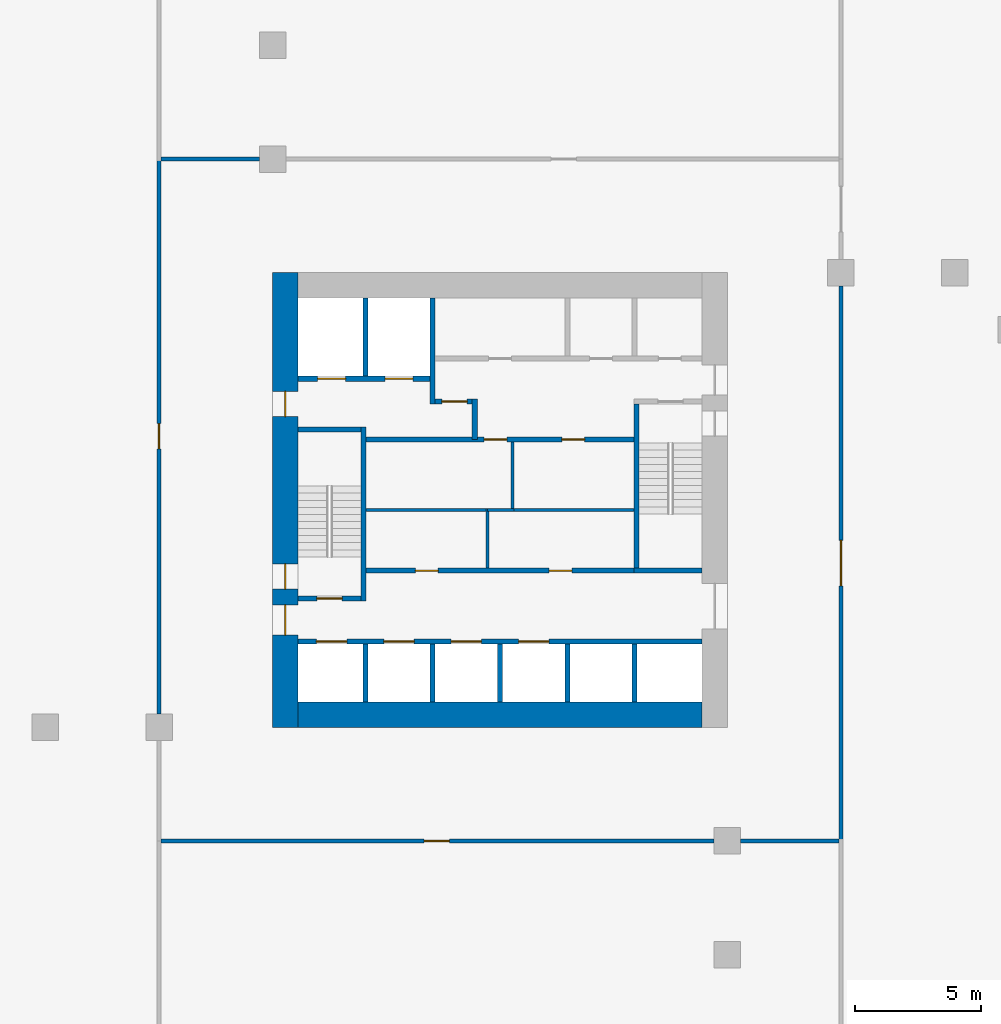
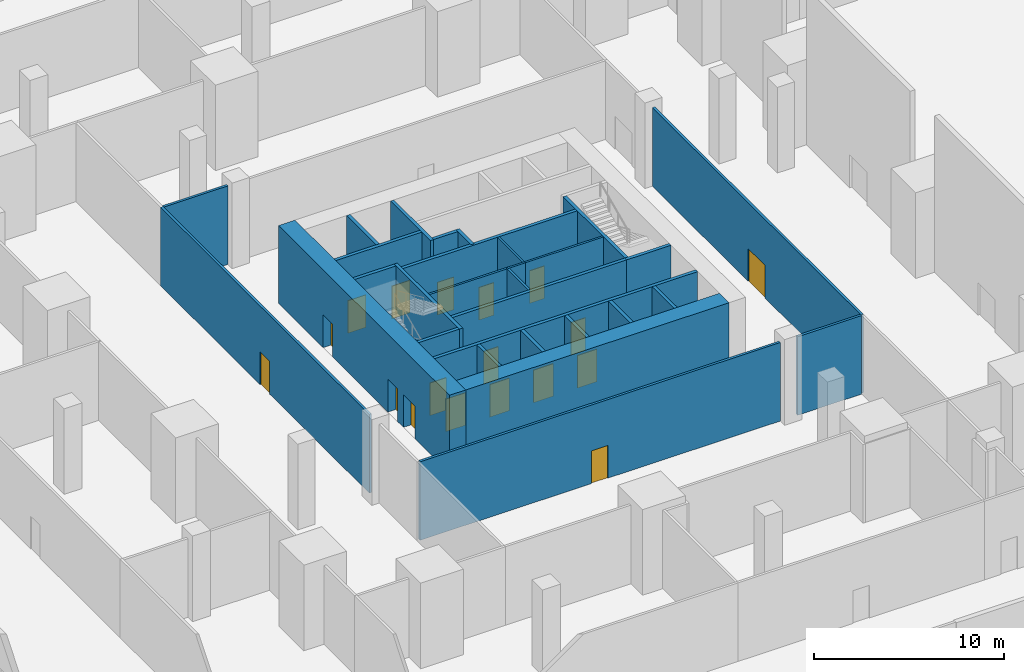
# One storey, part 25 of 47: 30 walls, 18 doors, 18 openings.
"""IFC4 building model written with IfcOpenShell, lengths in metres."""

import ifcopenshell
import ifcopenshell.guid

model = None  # the IFC model being written
_history = None  # IfcOwnerHistory: only IFC2X3 demands one
_inside = {}  # id of a spatial element -> (the spatial element, [elements in it])
_under = {}  # id of a project, library or spatial element -> (it, [spatial elements below it])
_declared = {}  # id of a project -> (the project, [libraries it declares])
_typed = {}  # id of a type object -> (the type object, [elements of that type])
_made_of = {}  # id of a material, layer set ... -> (it, [elements and type objects made of it])


def new_model(schema):
    """Start an empty IFC model of exactly this schema.

    Asked for "IFC4X3", IfcOpenShell would pick the latest addendum, in which some entities
    have other attributes; the version numbers below select the first issue.
    IFC2X3 requires an IfcOwnerHistory on every rooted entity: one is made here for all.
    """
    global model, _history
    if schema == "IFC4X3":
        model = ifcopenshell.file(schema_version=(4, 3, 0, 0))
    else:
        model = ifcopenshell.file(schema=schema)
    _inside.clear()
    _under.clear()
    _declared.clear()
    _typed.clear()
    _made_of.clear()
    _history = None
    if model.schema == "IFC2X3":
        org = make("IfcOrganization", Name="unknown")
        user = make(
            "IfcPersonAndOrganization",
            ThePerson=make("IfcPerson", FamilyName="unknown"),
            TheOrganization=org,
        )
        app = make(
            "IfcApplication",
            ApplicationDeveloper=org,
            Version="unknown",
            ApplicationFullName="unknown",
            ApplicationIdentifier="unknown",
        )
        _history = make(
            "IfcOwnerHistory",
            OwningUser=user,
            OwningApplication=app,
            ChangeAction="ADDED",
            CreationDate=0,
        )
    return model


def make(cls, **values):
    """One entity of the class cls with the attributes given. An attribute that is None is left unset."""
    return model.create_entity(
        cls, **{name: value for name, value in values.items() if value is not None}
    )


def rooted(cls, **values):
    """An entity with a GlobalId (a new one), such as an element, a storey or a relation."""
    return make(cls, GlobalId=ifcopenshell.guid.new(), OwnerHistory=_history, **values)


def si_unit(unit_type, name, prefix=None):
    """IfcSIUnit, for example si_unit("LENGTHUNIT", "METRE", prefix="MILLI")."""
    return make("IfcSIUnit", UnitType=unit_type, Prefix=prefix, Name=name)


def assignment(units):
    """IfcUnitAssignment: the units of a project."""
    return None if units is None else make("IfcUnitAssignment", Units=units)


def point(xyz):
    """IfcCartesianPoint."""
    return None if xyz is None else make("IfcCartesianPoint", Coordinates=xyz)


def direction(xyz):
    """IfcDirection."""
    return None if xyz is None else make("IfcDirection", DirectionRatios=xyz)


def frame(location, z_axis=None, x_axis=None):
    """IfcAxis2Placement3D, a coordinate frame: its origin and axes. An axis left out is left unset."""
    return make(
        "IfcAxis2Placement3D",
        Location=point(location),
        Axis=direction(z_axis),
        RefDirection=direction(x_axis),
    )


def frame_2d(location, x_axis=None):
    """IfcAxis2Placement2D, a coordinate frame in the plane: its origin and x axis."""
    return make(
        "IfcAxis2Placement2D", Location=point(location), RefDirection=direction(x_axis)
    )


def origin():
    """The frame at (0, 0, 0) with its axes left unset."""
    return frame((0.0, 0.0, 0.0))


def place(relative_to, where):
    """IfcLocalPlacement: puts the frame where relative to a parent placement (None: the world)."""
    return make(
        "IfcLocalPlacement", PlacementRelTo=relative_to, RelativePlacement=where
    )


def context(
    kind, dimensions, precision=None, world=None, true_north=None, identifier=None
):
    """IfcGeometricRepresentationContext, for example the 3D "Model" context."""
    return make(
        "IfcGeometricRepresentationContext",
        ContextIdentifier=identifier,
        ContextType=kind,
        CoordinateSpaceDimension=dimensions,
        Precision=precision,
        WorldCoordinateSystem=world,
        TrueNorth=true_north,
    )


def subcontext(parent, identifier, kind, view, scale=None):
    """IfcGeometricRepresentationSubContext, for example "Body" below "Model"."""
    return make(
        "IfcGeometricRepresentationSubContext",
        ContextIdentifier=identifier,
        ContextType=kind,
        ParentContext=parent,
        TargetScale=scale,
        TargetView=view,
    )


def project(units=None, contexts=None):
    """IfcProject with its units and contexts."""
    return rooted(
        "IfcProject",
        Name="project",
        RepresentationContexts=contexts,
        UnitsInContext=assignment(units),
    )


def spatial(cls, under=None, at=None, **own):
    """A site, building, storey or space (cls), placed at a placement, below another one or the project."""
    s = rooted(cls, ObjectPlacement=at, **own)
    if under is not None:
        _under.setdefault(under.id(), (under, []))[1].append(s)
    return s


def profile(cls, at=None, kind="AREA", **sizes):
    """A parametric profile (cls). Its sizes go by their IFC names, for example OverallWidth=200.0."""
    return make(cls, ProfileType=kind, Position=at, **sizes)


def rectangle(**sizes):
    """IfcRectangleProfileDef."""
    return profile("IfcRectangleProfileDef", **sizes)


def extrude(swept, where, along, depth):
    """IfcExtrudedAreaSolid: the profile swept, set in the frame where, extruded along a direction by depth."""
    return make(
        "IfcExtrudedAreaSolid",
        SweptArea=swept,
        Position=where,
        ExtrudedDirection=direction(along),
        Depth=depth,
    )


def shape(context_of_items, identifier, shape_type, items):
    """IfcShapeRepresentation: the items that make up one representation, for example the "Body"."""
    return make(
        "IfcShapeRepresentation",
        ContextOfItems=context_of_items,
        RepresentationIdentifier=identifier,
        RepresentationType=shape_type,
        Items=items,
    )


def material(Name=None, Category=None):
    """IfcMaterial."""
    return make("IfcMaterial", Name=Name, Category=Category)


def layer(
    of_material, thickness, ventilated=None, Name=None, Category=None, Priority=None
):
    """IfcMaterialLayer: one layer of a wall or slab, of a material (None: an air gap)."""
    return make(
        "IfcMaterialLayer",
        Material=of_material,
        LayerThickness=thickness,
        IsVentilated=ventilated,
        Name=Name,
        Category=Category,
        Priority=Priority,
    )


def layer_set(layers, Name=None):
    """IfcMaterialLayerSet."""
    return make("IfcMaterialLayerSet", MaterialLayers=layers, LayerSetName=Name)


def made_of(thing, what):
    """Note that an element or type object is made of a material, layer set ...; save() writes the relation."""
    if what is not None:
        _made_of.setdefault(what.id(), (what, []))[1].append(thing)
    return thing


def type_object(cls, material=None, **own):
    """A type object (cls), such as IfcWallType, which elements share."""
    return made_of(rooted(cls, **own), material)


def element(
    cls,
    number,
    at=None,
    inside=None,
    cuts=None,
    type_object=None,
    material=None,
    context=None,
    identifier="Body",
    shape_type=None,
    held_by="IfcProductDefinitionShape",
    body=None,
    shapes=None,
    **own,
):
    """One element of the class cls, such as IfcWall. Its Tag is "e" and its number.

    at: its placement. inside: the storey or other place that contains it. cuts: it is an
    opening in that element (IfcRelVoidsElement). A single representation is given by context,
    identifier, shape_type and body (its items); several are given by shapes. held_by: the class
    of the entity that holds the representations. save() writes the other relations.
    """
    e = rooted(cls, Tag="e%d" % number, ObjectPlacement=at, **own)
    if body is not None:
        shapes = [shape(context, identifier, shape_type, body)]
    if shapes is not None:
        e.Representation = make(held_by, Representations=shapes)
    if inside is not None:
        _inside.setdefault(inside.id(), (inside, []))[1].append(e)
    if cuts is not None:
        rooted(
            "IfcRelVoidsElement", RelatingBuildingElement=cuts, RelatedOpeningElement=e
        )
    if type_object is not None:
        _typed.setdefault(type_object.id(), (type_object, []))[1].append(e)
    return made_of(e, material)


def fill(opening, filler):
    """IfcRelFillsElement: the door or window that sits in an opening."""
    return rooted(
        "IfcRelFillsElement",
        RelatingOpeningElement=opening,
        RelatedBuildingElement=filler,
    )


def aggregate(whole, parts):
    """IfcRelAggregates: a whole, such as a stair, and the parts it consists of."""
    return rooted("IfcRelAggregates", RelatingObject=whole, RelatedObjects=parts)


def save(model, path):
    """Write the relations noted so far, then the file.

    IfcRelAggregates (storeys below a building ...), IfcRelContainedInSpatialStructure (elements
    in a storey), IfcRelDefinesByType, IfcRelAssociatesMaterial and IfcRelDeclares: one each for
    every whole, place, type object, material and project.
    """
    for whole, parts in _under.values():
        aggregate(whole, parts)
    for where, things in _inside.values():
        rooted(
            "IfcRelContainedInSpatialStructure",
            RelatedElements=things,
            RelatingStructure=where,
        )
    for kind, things in _typed.values():
        rooted("IfcRelDefinesByType", RelatedObjects=things, RelatingType=kind)
    for what, things in _made_of.values():
        rooted("IfcRelAssociatesMaterial", RelatedObjects=things, RelatingMaterial=what)
    for by, libraries in _declared.values():
        rooted("IfcRelDeclares", RelatingContext=by, RelatedDefinitions=libraries)
    model.write(path)


model = new_model("IFC4")

# Units and contexts
model_context = context("Model", 3, precision=1e-05, world=origin(), true_north=direction((0.0, 1.0)))
body_context = subcontext(model_context, "Body", "Model", "MODEL_VIEW")
ifc_project = project(units=[si_unit("LENGTHUNIT", "METRE"), si_unit("AREAUNIT", "SQUARE_METRE"), si_unit("VOLUMEUNIT", "CUBIC_METRE"), si_unit("PLANEANGLEUNIT", "RADIAN"), si_unit("MASSUNIT", "GRAM", prefix="KILO")], contexts=[model_context])

# Site, building, storey
site_placement = place(None, origin())
site = spatial("IfcSite", under=ifc_project, at=site_placement, CompositionType="ELEMENT")
building_placement = place(site_placement, origin())
building = spatial("IfcBuilding", under=site, at=building_placement, Name="Altepetl Exchange Towers", CompositionType="ELEMENT")
storey_placement = place(building_placement, frame((0.0, 0.0, 6.0)))
storey = spatial("IfcBuildingStorey", under=building, at=storey_placement, Name="L01 Retail podium", CompositionType="ELEMENT", Elevation=6.0)

# Wall
ifc_material_1 = material(Name="Concrete C70/85", Category="concrete")
ifc_layer_1 = layer(ifc_material_1, 1.0)
ifc_layer_set_1 = layer_set([ifc_layer_1], Name="Concrete C70/85")
wall_type_1 = type_object("IfcWallType", Name="Core wall 1000 reinforced concrete", PredefinedType="SHEAR", material=ifc_layer_set_1)
wall_1_placement = place(storey_placement, frame((41.5, 41.0, 0.0)))
element("IfcWall", 1, at=wall_1_placement, inside=storey, type_object=wall_type_1, Name="wall:A:L01:K-coreS", PredefinedType="SHEAR", context=body_context, shape_type="SweptSolid", body=[
    extrude(rectangle(XDim=16.0, YDim=1.0, at=frame_2d((8.0, 0.0))), origin(), (0.0, 0.0, 1.0), 5.0),
])

# Wall, openings, doors
wall_2_placement = place(storey_placement, frame((41.0, 40.5, 0.0), z_axis=(0.0, 0.0, 1.0), x_axis=(0.0, 1.0, 0.0)))
wall_2 = element("IfcWall", 2, at=wall_2_placement, inside=storey, type_object=wall_type_1, Name="wall:A:L01:K-coreW", PredefinedType="SHEAR", context=body_context, shape_type="SweptSolid", body=[
    extrude(rectangle(XDim=18.0, YDim=1.0, at=frame_2d((9.0, 0.0))), origin(), (0.0, 0.0, 1.0), 5.0),
])
opening_1_placement = place(wall_2_placement, frame((3.64990234375, 0.0, 0.0)))
opening_1 = element("IfcOpeningElement", 3, at=opening_1_placement, cuts=wall_2, Name="Opening L01.A62", PredefinedType="OPENING", context=body_context, shape_type="SweptSolid", body=[
    extrude(rectangle(XDim=1.199951171875, YDim=2.10009765625, at=frame_2d((0.60009765625, 1.050048828125))), frame((0.0, 0.510009765625, 0.0), z_axis=(0.0, -1.0, 0.0), x_axis=(1.0, 0.0, 0.0)), (0.0, 0.0, 1.0), 1.02001953125),
])
opening_2_placement = place(wall_2_placement, frame((5.47509765625, 0.0, 0.0)))
opening_2 = element("IfcOpeningElement", 4, at=opening_2_placement, cuts=wall_2, Name="Opening L01.A64", PredefinedType="OPENING", context=body_context, shape_type="SweptSolid", body=[
    extrude(rectangle(XDim=1.0, YDim=2.10009765625, at=frame_2d((0.5, 1.050048828125))), frame((0.0, 0.510009765625, 0.0), z_axis=(0.0, -1.0, 0.0), x_axis=(1.0, 0.0, 0.0)), (0.0, 0.0, 1.0), 1.02001953125),
])
opening_3_placement = place(wall_2_placement, frame((12.300048828125, 0.0, 0.0)))
opening_3 = element("IfcOpeningElement", 5, at=opening_3_placement, cuts=wall_2, Name="Opening L01.A68", PredefinedType="OPENING", context=body_context, shape_type="SweptSolid", body=[
    extrude(rectangle(XDim=1.0, YDim=2.10009765625, at=frame_2d((0.5, 1.050048828125))), frame((0.0, 0.510009765625, 0.0), z_axis=(0.0, -1.0, 0.0), x_axis=(1.0, 0.0, 0.0)), (0.0, 0.0, 1.0), 1.02001953125),
])
ifc_material_2 = material(Name="Steel and timber fire door", Category="steel")
door_type_1 = type_object("IfcDoorType", Name="Fire door 1000 x 2100 stair and lobby", OperationType="SINGLE_SWING_LEFT", PredefinedType="DOOR", material=ifc_material_2)
door_1_placement = place(opening_2_placement, frame((1.0, 0.0, 0.0), x_axis=(-1.0, 0.0, 0.0)))
door_1 = element("IfcDoor", 6, at=door_1_placement, inside=storey, type_object=door_type_1, Name="door:A:L01:K-dS1x", OperationType="SINGLE_SWING_RIGHT", OverallHeight=2.10009765625, OverallWidth=1.0, PredefinedType="DOOR", context=body_context, shape_type="SweptSolid", body=[
    extrude(rectangle(XDim=1.0, YDim=2.10009765625, at=frame_2d((0.5, 1.050048828125))), frame((0.0, 0.02490234375, 0.0), z_axis=(0.0, -1.0, 0.0), x_axis=(1.0, 0.0, 0.0)), (0.0, 0.0, 1.0), 0.050048828125),
])
fill(opening_2, door_1)
door_2_placement = place(opening_3_placement, frame((1.0, 0.0, 0.0), x_axis=(-1.0, 0.0, 0.0)))
door_2 = element("IfcDoor", 7, at=door_2_placement, inside=storey, type_object=door_type_1, Name="door:A:L01:K-dffW", OperationType="SINGLE_SWING_LEFT", OverallHeight=2.10009765625, OverallWidth=1.0, PredefinedType="DOOR", context=body_context, shape_type="SweptSolid", body=[
    extrude(rectangle(XDim=1.0, YDim=2.10009765625, at=frame_2d((0.5, 1.050048828125))), frame((0.0, 0.02490234375, 0.0), z_axis=(0.0, -1.0, 0.0), x_axis=(1.0, 0.0, 0.0)), (0.0, 0.0, 1.0), 0.050048828125),
])
fill(opening_3, door_2)
door_type_2 = type_object("IfcDoorType", Name="Fire door 1200 x 2100 lobby entry", OperationType="SINGLE_SWING_LEFT", PredefinedType="DOOR", material=ifc_material_2)
door_3_placement = place(opening_1_placement, frame((1.199951171875, 0.0, 0.0), x_axis=(-1.0, 0.0, 0.0)))
door_3 = element("IfcDoor", 8, at=door_3_placement, inside=storey, type_object=door_type_2, Name="door:A:L01:K-dLSW", OperationType="SINGLE_SWING_LEFT", OverallHeight=2.10009765625, OverallWidth=1.199951171875, PredefinedType="DOOR", context=body_context, shape_type="SweptSolid", body=[
    extrude(rectangle(XDim=1.199951171875, YDim=2.10009765625, at=frame_2d((0.60009765625, 1.050048828125))), frame((0.0, 0.02490234375, 0.0), z_axis=(0.0, -1.0, 0.0), x_axis=(1.0, 0.0, 0.0)), (0.0, 0.0, 1.0), 0.050048828125),
])
fill(opening_1, door_3)

# Wall
ifc_material_3 = material(Name="Concrete blockwork", Category="masonry")
ifc_layer_2 = layer(ifc_material_3, 0.199951171875)
ifc_layer_set_2 = layer_set([ifc_layer_2], Name="Concrete blockwork")
wall_type_2 = type_object("IfcWallType", Name="Lobby wall 200 blockwork", PredefinedType="PARTITIONING", material=ifc_layer_set_2)
wall_3_placement = place(storey_placement, frame((48.5, 51.89990234375, 0.0), z_axis=(0.0, 0.0, 1.0), x_axis=(0.0, 1.0, 0.0)))
element("IfcWall", 9, at=wall_3_placement, inside=storey, type_object=wall_type_2, Name="wall:A:L01:K-ffE", PredefinedType="PARTITIONING", context=body_context, shape_type="SweptSolid", body=[
    extrude(rectangle(XDim=1.60009765625, YDim=0.199951171875, at=frame_2d((0.800048828125, 0.0))), origin(), (0.0, 0.0, 1.0), 5.0),
])

# Wall, opening, door
wall_4_placement = place(storey_placement, frame((46.933349609375, 53.39990234375, 0.0)))
wall_4 = element("IfcWall", 10, at=wall_4_placement, inside=storey, type_object=wall_type_2, Name="wall:A:L01:K-ffN", PredefinedType="PARTITIONING", context=body_context, shape_type="SweptSolid", body=[
    extrude(rectangle(XDim=1.466552734375, YDim=0.199951171875, at=frame_2d((0.7333984375, 0.0))), origin(), (0.0, 0.0, 1.0), 5.0),
])
opening_4_placement = place(wall_4_placement, frame((0.2666015625, 0.0, 0.0)))
opening_4 = element("IfcOpeningElement", 11, at=opening_4_placement, cuts=wall_4, Name="Opening L01.A67", PredefinedType="OPENING", context=body_context, shape_type="SweptSolid", body=[
    extrude(rectangle(XDim=1.0, YDim=2.10009765625, at=frame_2d((0.5, 1.050048828125))), frame((0.0, 0.10986328125, 0.0), z_axis=(0.0, -1.0, 0.0), x_axis=(1.0, 0.0, 0.0)), (0.0, 0.0, 1.0), 0.219970703125),
])
door_4_placement = place(opening_4_placement, frame((1.0, 0.0, 0.0), x_axis=(-1.0, 0.0, 0.0)))
door_4 = element("IfcDoor", 12, at=door_4_placement, inside=storey, type_object=door_type_1, Name="door:A:L01:K-dffN", OperationType="SINGLE_SWING_RIGHT", OverallHeight=2.10009765625, OverallWidth=1.0, PredefinedType="DOOR", context=body_context, shape_type="SweptSolid", body=[
    extrude(rectangle(XDim=1.0, YDim=2.10009765625, at=frame_2d((0.5, 1.050048828125))), frame((0.0, 0.02490234375, 0.0), z_axis=(0.0, -1.0, 0.0), x_axis=(1.0, 0.0, 0.0)), (0.0, 0.0, 1.0), 0.050048828125),
])
fill(opening_4, door_4)

# Wall, openings, doors
wall_5_placement = place(storey_placement, frame((44.199951171875, 51.89990234375, 0.0)))
wall_5 = element("IfcWall", 13, at=wall_5_placement, inside=storey, type_object=wall_type_2, Name="wall:A:L01:K-zoneN", PredefinedType="PARTITIONING", context=body_context, shape_type="SweptSolid", body=[
    extrude(rectangle(XDim=10.60009765625, YDim=0.199951171875, at=frame_2d((5.300048828125, 0.0))), origin(), (0.0, 0.0, 1.0), 5.0),
])
opening_5_placement = place(wall_5_placement, frame((4.675048828125, 0.0, 0.0)))
opening_5 = element("IfcOpeningElement", 14, at=opening_5_placement, cuts=wall_5, Name="Opening L01.A74", PredefinedType="OPENING", context=body_context, shape_type="SweptSolid", body=[
    extrude(rectangle(XDim=0.89990234375, YDim=2.10009765625, at=frame_2d((0.449951171875, 1.050048828125))), frame((0.0, 0.10986328125, 0.0), z_axis=(0.0, -1.0, 0.0), x_axis=(1.0, 0.0, 0.0)), (0.0, 0.0, 1.0), 0.219970703125),
])
opening_6_placement = place(wall_5_placement, frame((7.75, 0.0, 0.0)))
opening_6 = element("IfcOpeningElement", 15, at=opening_6_placement, cuts=wall_5, Name="Opening L01.A75", PredefinedType="OPENING", context=body_context, shape_type="SweptSolid", body=[
    extrude(rectangle(XDim=0.89990234375, YDim=2.10009765625, at=frame_2d((0.449951171875, 1.050048828125))), frame((0.0, 0.10986328125, 0.0), z_axis=(0.0, -1.0, 0.0), x_axis=(1.0, 0.0, 0.0)), (0.0, 0.0, 1.0), 0.219970703125),
])
door_type_3 = type_object("IfcDoorType", Name="Fire door 900 x 2100 service room", OperationType="SINGLE_SWING_LEFT", PredefinedType="DOOR", material=ifc_material_2)
door_5_placement = place(opening_5_placement, frame((0.89990234375, 0.0, 0.0), x_axis=(-1.0, 0.0, 0.0)))
door_5 = element("IfcDoor", 16, at=door_5_placement, inside=storey, type_object=door_type_3, Name="door:A:L01:K-dz3", OperationType="SINGLE_SWING_LEFT", OverallHeight=2.10009765625, OverallWidth=0.89990234375, PredefinedType="DOOR", context=body_context, shape_type="SweptSolid", body=[
    extrude(rectangle(XDim=0.89990234375, YDim=2.10009765625, at=frame_2d((0.449951171875, 1.050048828125))), frame((0.0, 0.02490234375, 0.0), z_axis=(0.0, -1.0, 0.0), x_axis=(1.0, 0.0, 0.0)), (0.0, 0.0, 1.0), 0.050048828125),
])
fill(opening_5, door_5)
door_6_placement = place(opening_6_placement, frame((0.89990234375, 0.0, 0.0), x_axis=(-1.0, 0.0, 0.0)))
door_6 = element("IfcDoor", 17, at=door_6_placement, inside=storey, type_object=door_type_3, Name="door:A:L01:K-dz4", OperationType="SINGLE_SWING_LEFT", OverallHeight=2.10009765625, OverallWidth=0.89990234375, PredefinedType="DOOR", context=body_context, shape_type="SweptSolid", body=[
    extrude(rectangle(XDim=0.89990234375, YDim=2.10009765625, at=frame_2d((0.449951171875, 1.050048828125))), frame((0.0, 0.02490234375, 0.0), z_axis=(0.0, -1.0, 0.0), x_axis=(1.0, 0.0, 0.0)), (0.0, 0.0, 1.0), 0.050048828125),
])
fill(opening_6, door_6)

wall_6_placement = place(storey_placement, frame((44.199951171875, 46.699951171875, 0.0)))
wall_6 = element("IfcWall", 18, at=wall_6_placement, inside=storey, type_object=wall_type_2, Name="wall:A:L01:K-zoneS", PredefinedType="PARTITIONING", context=body_context, shape_type="SweptSolid", body=[
    extrude(rectangle(XDim=10.60009765625, YDim=0.199951171875, at=frame_2d((5.300048828125, 0.0))), origin(), (0.0, 0.0, 1.0), 5.0),
])
opening_7_placement = place(wall_6_placement, frame((1.949951171875, 0.0, 0.0)))
opening_7 = element("IfcOpeningElement", 19, at=opening_7_placement, cuts=wall_6, Name="Opening L01.A72", PredefinedType="OPENING", context=body_context, shape_type="SweptSolid", body=[
    extrude(rectangle(XDim=0.89990234375, YDim=2.10009765625, at=frame_2d((0.449951171875, 1.050048828125))), frame((0.0, 0.10986328125, 0.0), z_axis=(0.0, -1.0, 0.0), x_axis=(1.0, 0.0, 0.0)), (0.0, 0.0, 1.0), 0.219970703125),
])
opening_8_placement = place(wall_6_placement, frame((7.25, 0.0, 0.0)))
opening_8 = element("IfcOpeningElement", 20, at=opening_8_placement, cuts=wall_6, Name="Opening L01.A73", PredefinedType="OPENING", context=body_context, shape_type="SweptSolid", body=[
    extrude(rectangle(XDim=0.89990234375, YDim=2.10009765625, at=frame_2d((0.449951171875, 1.050048828125))), frame((0.0, 0.10986328125, 0.0), z_axis=(0.0, -1.0, 0.0), x_axis=(1.0, 0.0, 0.0)), (0.0, 0.0, 1.0), 0.219970703125),
])
door_7_placement = place(opening_7_placement, origin())
door_7 = element("IfcDoor", 21, at=door_7_placement, inside=storey, type_object=door_type_3, Name="door:A:L01:K-dz1", OperationType="SINGLE_SWING_LEFT", OverallHeight=2.10009765625, OverallWidth=0.89990234375, PredefinedType="DOOR", context=body_context, shape_type="SweptSolid", body=[
    extrude(rectangle(XDim=0.89990234375, YDim=2.10009765625, at=frame_2d((0.449951171875, 1.050048828125))), frame((0.0, 0.02490234375, 0.0), z_axis=(0.0, -1.0, 0.0), x_axis=(1.0, 0.0, 0.0)), (0.0, 0.0, 1.0), 0.050048828125),
])
fill(opening_7, door_7)
door_8_placement = place(opening_8_placement, origin())
door_8 = element("IfcDoor", 22, at=door_8_placement, inside=storey, type_object=door_type_3, Name="door:A:L01:K-dz2", OperationType="SINGLE_SWING_LEFT", OverallHeight=2.10009765625, OverallWidth=0.89990234375, PredefinedType="DOOR", context=body_context, shape_type="SweptSolid", body=[
    extrude(rectangle(XDim=0.89990234375, YDim=2.10009765625, at=frame_2d((0.449951171875, 1.050048828125))), frame((0.0, 0.02490234375, 0.0), z_axis=(0.0, -1.0, 0.0), x_axis=(1.0, 0.0, 0.0)), (0.0, 0.0, 1.0), 0.050048828125),
])
fill(opening_8, door_8)

# Walls
ifc_material_4 = material(Name="Gypsum board on steel studs", Category="steel")
ifc_layer_3 = layer(ifc_material_4, 0.125)
ifc_layer_set_3 = layer_set([ifc_layer_3], Name="Gypsum board on steel studs")
wall_type_3 = type_object("IfcWallType", Name="Partition 125 gypsum board on steel studs", PredefinedType="PARTITIONING", material=ifc_layer_set_3)
wall_7_placement = place(storey_placement, frame((49.0, 46.800048828125, 0.0), z_axis=(0.0, 0.0, 1.0), x_axis=(0.0, 1.0, 0.0)))
element("IfcWall", 23, at=wall_7_placement, inside=storey, type_object=wall_type_3, Name="wall:A:L01:K-zp1", PredefinedType="PARTITIONING", context=body_context, shape_type="SweptSolid", body=[
    extrude(rectangle(XDim=2.362548828125, YDim=0.125, at=frame_2d((1.18115234375, 0.0))), origin(), (0.0, 0.0, 1.0), 5.0),
])
wall_8_placement = place(storey_placement, frame((48.9375, 49.10009765625, 0.0), z_axis=(0.0, 0.0, 1.0), x_axis=(-1.0, 0.0, 0.0)))
element("IfcWall", 24, at=wall_8_placement, inside=storey, type_object=wall_type_3, Name="wall:A:L01:K-zp2", PredefinedType="PARTITIONING", context=body_context, shape_type="SweptSolid", body=[
    extrude(rectangle(XDim=4.737548828125, YDim=0.125, at=frame_2d((2.36865234375, 0.0))), origin(), (0.0, 0.0, 1.0), 5.0),
])
wall_9_placement = place(storey_placement, frame((50.0625, 49.10009765625, 0.0), z_axis=(0.0, 0.0, 1.0), x_axis=(-1.0, 0.0, 0.0)))
element("IfcWall", 25, at=wall_9_placement, inside=storey, type_object=wall_type_3, Name="wall:A:L01:K-zp3", PredefinedType="PARTITIONING", context=body_context, shape_type="SweptSolid", body=[
    extrude(rectangle(XDim=1.0625, YDim=0.125, at=frame_2d((0.53125, 0.0))), origin(), (0.0, 0.0, 1.0), 5.0),
])
wall_10_placement = place(storey_placement, frame((54.800048828125, 49.10009765625, 0.0), z_axis=(0.0, 0.0, 1.0), x_axis=(-1.0, 0.0, 0.0)))
element("IfcWall", 26, at=wall_10_placement, inside=storey, type_object=wall_type_3, Name="wall:A:L01:K-zp4", PredefinedType="PARTITIONING", context=body_context, shape_type="SweptSolid", body=[
    extrude(rectangle(XDim=4.800048828125, YDim=0.125, at=frame_2d((2.39990234375, 0.0))), origin(), (0.0, 0.0, 1.0), 5.0),
])
wall_11_placement = place(storey_placement, frame((50.0, 49.16259765625, 0.0), z_axis=(0.0, 0.0, 1.0), x_axis=(0.0, 1.0, 0.0)))
element("IfcWall", 27, at=wall_11_placement, inside=storey, type_object=wall_type_3, Name="wall:A:L01:K-zp5", PredefinedType="PARTITIONING", context=body_context, shape_type="SweptSolid", body=[
    extrude(rectangle(XDim=2.637451171875, YDim=0.125, at=frame_2d((1.31884765625, 0.0))), origin(), (0.0, 0.0, 1.0), 5.0),
])

# Wall, opening, door
ifc_layer_4 = layer(ifc_material_4, 0.14990234375)
ifc_layer_set_4 = layer_set([ifc_layer_4], Name="Gypsum board on steel studs")
wall_type_4 = type_object("IfcWallType", Name="Podium partition 150", PredefinedType="PARTITIONING", material=ifc_layer_set_4)
wall_12_placement = place(storey_placement, frame((63.0, 36.0, 0.0), z_axis=(0.0, 0.0, 1.0), x_axis=(0.0, 1.0, 0.0)))
wall_12 = element("IfcWall", 28, at=wall_12_placement, inside=storey, type_object=wall_type_4, Name="wall:P:L01:P111", PredefinedType="PARTITIONING", context=body_context, shape_type="SweptSolid", body=[
    extrude(rectangle(XDim=21.97998046875, YDim=0.14990234375, at=frame_2d((10.989990234375, 0.0))), origin(), (0.0, 0.0, 1.0), 5.050048828125),
])
opening_9_placement = place(wall_12_placement, frame((10.10009765625, 0.0, 0.0)))
opening_9 = element("IfcOpeningElement", 29, at=opening_9_placement, cuts=wall_12, Name="Opening L01.P050", PredefinedType="OPENING", context=body_context, shape_type="SweptSolid", body=[
    extrude(rectangle(XDim=1.800048828125, YDim=2.10009765625, at=frame_2d((0.89990234375, 1.050048828125))), frame((0.0, 0.0849609375, 0.0), z_axis=(0.0, -1.0, 0.0), x_axis=(1.0, 0.0, 0.0)), (0.0, 0.0, 1.0), 0.169921875),
])
ifc_material_5 = material(Name="Glazed aluminium and steel", Category="steel")
door_type_4 = type_object("IfcDoorType", Name="Podium fire door 1800 x 2100 double leaf", OperationType="DOUBLE_DOOR_SINGLE_SWING", PredefinedType="DOOR", material=ifc_material_5)
door_9_placement = place(opening_9_placement, frame((1.800048828125, 0.0, 0.0), x_axis=(-1.0, 0.0, 0.0)))
door_9 = element("IfcDoor", 30, at=door_9_placement, inside=storey, type_object=door_type_4, Name="door:P:L01:050", OperationType="DOUBLE_DOOR_SINGLE_SWING", OverallHeight=2.10009765625, OverallWidth=1.800048828125, PredefinedType="DOOR", context=body_context, shape_type="SweptSolid", body=[
    extrude(rectangle(XDim=1.800048828125, YDim=2.10009765625, at=frame_2d((0.89990234375, 1.050048828125))), frame((0.0, 0.02490234375, 0.0), z_axis=(0.0, -1.0, 0.0), x_axis=(1.0, 0.0, 0.0)), (0.0, 0.0, 1.0), 0.050048828125),
])
fill(opening_9, door_9)

wall_13_placement = place(storey_placement, frame((36.0, 41.02001953125, 0.0), z_axis=(0.0, 0.0, 1.0), x_axis=(0.0, 1.0, 0.0)))
wall_13 = element("IfcWall", 31, at=wall_13_placement, inside=storey, type_object=wall_type_4, Name="wall:P:L01:P118", PredefinedType="PARTITIONING", context=body_context, shape_type="SweptSolid", body=[
    extrude(rectangle(XDim=21.97998046875, YDim=0.14990234375, at=frame_2d((10.989990234375, 0.0))), origin(), (0.0, 0.0, 1.0), 5.050048828125),
])
opening_10_placement = place(wall_13_placement, frame((10.5, 0.0, 0.0)))
opening_10 = element("IfcOpeningElement", 32, at=opening_10_placement, cuts=wall_13, Name="Opening L01.P011", PredefinedType="OPENING", context=body_context, shape_type="SweptSolid", body=[
    extrude(rectangle(XDim=1.0, YDim=2.10009765625, at=frame_2d((0.5, 1.050048828125))), frame((0.0, 0.0849609375, 0.0), z_axis=(0.0, -1.0, 0.0), x_axis=(1.0, 0.0, 0.0)), (0.0, 0.0, 1.0), 0.169921875),
])
door_type_5 = type_object("IfcDoorType", Name="Podium fire door 1000 x 2100 single leaf", OperationType="SINGLE_SWING_LEFT", PredefinedType="DOOR", material=ifc_material_2)
door_10_placement = place(opening_10_placement, origin())
door_10 = element("IfcDoor", 33, at=door_10_placement, inside=storey, type_object=door_type_5, Name="door:P:L01:011", OperationType="SINGLE_SWING_RIGHT", OverallHeight=2.10009765625, OverallWidth=1.0, PredefinedType="DOOR", context=body_context, shape_type="SweptSolid", body=[
    extrude(rectangle(XDim=1.0, YDim=2.10009765625, at=frame_2d((0.5, 1.050048828125))), frame((0.0, 0.02490234375, 0.0), z_axis=(0.0, -1.0, 0.0), x_axis=(1.0, 0.0, 0.0)), (0.0, 0.0, 1.0), 0.050048828125),
])
fill(opening_10, door_10)

wall_14_placement = place(storey_placement, frame((36.074951171875, 36.0, 0.0)))
wall_14 = element("IfcWall", 34, at=wall_14_placement, inside=storey, type_object=wall_type_4, Name="wall:P:L01:P119", PredefinedType="PARTITIONING", context=body_context, shape_type="SweptSolid", body=[
    extrude(rectangle(XDim=21.905029296875, YDim=0.14990234375, at=frame_2d((10.95263671875, 0.0))), origin(), (0.0, 0.0, 1.0), 5.050048828125),
])
opening_11_placement = place(wall_14_placement, frame((10.425048828125, 0.0, 0.0)))
opening_11 = element("IfcOpeningElement", 35, at=opening_11_placement, cuts=wall_14, Name="Opening L01.P012", PredefinedType="OPENING", context=body_context, shape_type="SweptSolid", body=[
    extrude(rectangle(XDim=1.0, YDim=2.10009765625, at=frame_2d((0.5, 1.050048828125))), frame((0.0, 0.0849609375, 0.0), z_axis=(0.0, -1.0, 0.0), x_axis=(1.0, 0.0, 0.0)), (0.0, 0.0, 1.0), 0.169921875),
])
door_11_placement = place(opening_11_placement, frame((1.0, 0.0, 0.0), x_axis=(-1.0, 0.0, 0.0)))
door_11 = element("IfcDoor", 36, at=door_11_placement, inside=storey, type_object=door_type_5, Name="door:P:L01:012", OperationType="SINGLE_SWING_LEFT", OverallHeight=2.10009765625, OverallWidth=1.0, PredefinedType="DOOR", context=body_context, shape_type="SweptSolid", body=[
    extrude(rectangle(XDim=1.0, YDim=2.10009765625, at=frame_2d((0.5, 1.050048828125))), frame((0.0, 0.02490234375, 0.0), z_axis=(0.0, -1.0, 0.0), x_axis=(1.0, 0.0, 0.0)), (0.0, 0.0, 1.0), 0.050048828125),
])
fill(opening_11, door_11)

# Walls
for number, where, name in (
    (37, (59.02001953125, 36.0, 0.0), "wall:P:L01:P120"),
    (38, (36.074951171875, 63.0, 0.0), "wall:P:L01:P121"),
):
    element("IfcWall", number, at=place(storey_placement, frame(where)), inside=storey, type_object=wall_type_4, Name=name, PredefinedType="PARTITIONING", context=body_context, shape_type="SweptSolid", body=[
        extrude(rectangle(XDim=3.905029296875, YDim=0.14990234375, at=frame_2d((1.95263671875, 0.0))), origin(), (0.0, 0.0, 1.0), 5.050048828125),
    ])
ifc_material_6 = material(Name="Concrete C40/50", Category="concrete")
ifc_layer_5 = layer(ifc_material_6, 0.199951171875)
ifc_layer_set_5 = layer_set([ifc_layer_5], Name="Concrete C40/50")
wall_type_5 = type_object("IfcWallType", Name="Shaft wall 200 reinforced concrete", PredefinedType="SHEAR", material=ifc_layer_set_5)
wall_15_placement = place(storey_placement, frame((44.166748046875, 57.5, 0.0), z_axis=(0.0, 0.0, 1.0), x_axis=(0.0, -1.0, 0.0)))
element("IfcWall", 39, at=wall_15_placement, inside=storey, type_object=wall_type_5, Name="wall:A:L01:K-divN1", PredefinedType="SHEAR", context=body_context, shape_type="SweptSolid", body=[
    extrude(rectangle(XDim=3.10009765625, YDim=0.199951171875, at=frame_2d((1.550048828125, 0.0))), origin(), (0.0, 0.0, 1.0), 5.0),
])
wall_16_placement = place(storey_placement, frame((46.833251953125, 57.5, 0.0), z_axis=(0.0, 0.0, 1.0), x_axis=(0.0, -1.0, 0.0)))
element("IfcWall", 40, at=wall_16_placement, inside=storey, type_object=wall_type_5, Name="wall:A:L01:K-divN2", PredefinedType="SHEAR", context=body_context, shape_type="SweptSolid", body=[
    extrude(rectangle(XDim=4.199951171875, YDim=0.199951171875, at=frame_2d((2.10009765625, 0.0))), origin(), (0.0, 0.0, 1.0), 5.0),
])
for number, where, z_axis, x_axis, name in (
    (41, (44.166748046875, 41.5, 0.0), (0.0, 0.0, 1.0), (0.0, 1.0, 0.0), "wall:A:L01:K-divS1"),
    (42, (46.833251953125, 41.5, 0.0), (0.0, 0.0, 1.0), (0.0, 1.0, 0.0), "wall:A:L01:K-divS2"),
    (43, (49.5, 41.5, 0.0), (0.0, 0.0, 1.0), (0.0, 1.0, 0.0), "wall:A:L01:K-divS3"),
    (44, (52.166748046875, 41.5, 0.0), (0.0, 0.0, 1.0), (0.0, 1.0, 0.0), "wall:A:L01:K-divS4"),
    (45, (54.833251953125, 41.5, 0.0), (0.0, 0.0, 1.0), (0.0, 1.0, 0.0), "wall:A:L01:K-divS5"),
):
    element("IfcWall", number, at=place(storey_placement, frame(where, z_axis=z_axis, x_axis=x_axis)), inside=storey, type_object=wall_type_5, Name=name, PredefinedType="SHEAR", context=body_context, shape_type="SweptSolid", body=[
        extrude(rectangle(XDim=2.300048828125, YDim=0.199951171875, at=frame_2d((1.14990234375, 0.0))), origin(), (0.0, 0.0, 1.0), 5.0),
    ])

# Wall, openings, doors
wall_17_placement = place(storey_placement, frame((41.5, 54.300048828125, 0.0)))
wall_17 = element("IfcWall", 46, at=wall_17_placement, inside=storey, type_object=wall_type_5, Name="wall:A:L01:K-frontNd", PredefinedType="SHEAR", context=body_context, shape_type="SweptSolid", body=[
    extrude(rectangle(XDim=5.2333984375, YDim=0.199951171875, at=frame_2d((2.61669921875, 0.0))), origin(), (0.0, 0.0, 1.0), 5.0),
])
opening_12_placement = place(wall_17_placement, frame((0.783203125, 0.0, 0.0)))
opening_12 = element("IfcOpeningElement", 47, at=opening_12_placement, cuts=wall_17, Name="Opening L01.A76", PredefinedType="OPENING", context=body_context, shape_type="SweptSolid", body=[
    extrude(rectangle(XDim=1.10009765625, YDim=2.10009765625, at=frame_2d((0.550048828125, 1.050048828125))), frame((0.0, 0.10986328125, 0.0), z_axis=(0.0, -1.0, 0.0), x_axis=(1.0, 0.0, 0.0)), (0.0, 0.0, 1.0), 0.219970703125),
])
opening_13_placement = place(wall_17_placement, frame((3.449951171875, 0.0, 0.0)))
opening_13 = element("IfcOpeningElement", 48, at=opening_13_placement, cuts=wall_17, Name="Opening L01.A77", PredefinedType="OPENING", context=body_context, shape_type="SweptSolid", body=[
    extrude(rectangle(XDim=1.10009765625, YDim=2.10009765625, at=frame_2d((0.550048828125, 1.050048828125))), frame((0.0, 0.10986328125, 0.0), z_axis=(0.0, -1.0, 0.0), x_axis=(1.0, 0.0, 0.0)), (0.0, 0.0, 1.0), 0.219970703125),
])
ifc_material_7 = material(Name="Stainless steel", Category="steel")
door_type_6 = type_object("IfcDoorType", Name="Lift landing door 1100 x 2100", OperationType="SLIDING_TO_LEFT", PredefinedType="DOOR", material=ifc_material_7)
door_12_placement = place(opening_12_placement, origin())
door_12 = element("IfcDoor", 49, at=door_12_placement, inside=storey, type_object=door_type_6, Name="Landing door FFL1", OperationType="SLIDING_TO_LEFT", OverallHeight=2.10009765625, OverallWidth=1.10009765625, PredefinedType="DOOR", context=body_context, shape_type="SweptSolid", body=[
    extrude(rectangle(XDim=1.10009765625, YDim=2.10009765625, at=frame_2d((0.550048828125, 1.050048828125))), frame((0.0, 0.02490234375, 0.0), z_axis=(0.0, -1.0, 0.0), x_axis=(1.0, 0.0, 0.0)), (0.0, 0.0, 1.0), 0.050048828125),
])
fill(opening_12, door_12)
door_13_placement = place(opening_13_placement, origin())
door_13 = element("IfcDoor", 50, at=door_13_placement, inside=storey, type_object=door_type_6, Name="Landing door FFL2", OperationType="SLIDING_TO_LEFT", OverallHeight=2.10009765625, OverallWidth=1.10009765625, PredefinedType="DOOR", context=body_context, shape_type="SweptSolid", body=[
    extrude(rectangle(XDim=1.10009765625, YDim=2.10009765625, at=frame_2d((0.550048828125, 1.050048828125))), frame((0.0, 0.02490234375, 0.0), z_axis=(0.0, -1.0, 0.0), x_axis=(1.0, 0.0, 0.0)), (0.0, 0.0, 1.0), 0.050048828125),
])
fill(opening_13, door_13)

wall_18_placement = place(storey_placement, frame((41.5, 43.89990234375, 0.0)))
wall_18 = element("IfcWall", 51, at=wall_18_placement, inside=storey, type_object=wall_type_5, Name="wall:A:L01:K-frontS", PredefinedType="SHEAR", context=body_context, shape_type="SweptSolid", body=[
    extrude(rectangle(XDim=16.0, YDim=0.199951171875, at=frame_2d((8.0, 0.0))), origin(), (0.0, 0.0, 1.0), 5.0),
])
opening_14_placement = place(wall_18_placement, frame((0.7333984375, 0.0, 0.0)))
opening_14 = element("IfcOpeningElement", 52, at=opening_14_placement, cuts=wall_18, Name="Opening L01.A78", PredefinedType="OPENING", context=body_context, shape_type="SweptSolid", body=[
    extrude(rectangle(XDim=1.199951171875, YDim=2.10009765625, at=frame_2d((0.60009765625, 1.050048828125))), frame((0.0, 0.10986328125, 0.0), z_axis=(0.0, -1.0, 0.0), x_axis=(1.0, 0.0, 0.0)), (0.0, 0.0, 1.0), 0.219970703125),
])
opening_15_placement = place(wall_18_placement, frame((3.39990234375, 0.0, 0.0)))
opening_15 = element("IfcOpeningElement", 53, at=opening_15_placement, cuts=wall_18, Name="Opening L01.A79", PredefinedType="OPENING", context=body_context, shape_type="SweptSolid", body=[
    extrude(rectangle(XDim=1.199951171875, YDim=2.10009765625, at=frame_2d((0.60009765625, 1.050048828125))), frame((0.0, 0.10986328125, 0.0), z_axis=(0.0, -1.0, 0.0), x_axis=(1.0, 0.0, 0.0)), (0.0, 0.0, 1.0), 0.219970703125),
])
opening_16_placement = place(wall_18_placement, frame((6.066650390625, 0.0, 0.0)))
opening_16 = element("IfcOpeningElement", 54, at=opening_16_placement, cuts=wall_18, Name="Opening L01.A80", PredefinedType="OPENING", context=body_context, shape_type="SweptSolid", body=[
    extrude(rectangle(XDim=1.199951171875, YDim=2.10009765625, at=frame_2d((0.60009765625, 1.050048828125))), frame((0.0, 0.10986328125, 0.0), z_axis=(0.0, -1.0, 0.0), x_axis=(1.0, 0.0, 0.0)), (0.0, 0.0, 1.0), 0.219970703125),
])
opening_17_placement = place(wall_18_placement, frame((8.7333984375, 0.0, 0.0)))
opening_17 = element("IfcOpeningElement", 55, at=opening_17_placement, cuts=wall_18, Name="Opening L01.A81", PredefinedType="OPENING", context=body_context, shape_type="SweptSolid", body=[
    extrude(rectangle(XDim=1.199951171875, YDim=2.10009765625, at=frame_2d((0.60009765625, 1.050048828125))), frame((0.0, 0.10986328125, 0.0), z_axis=(0.0, -1.0, 0.0), x_axis=(1.0, 0.0, 0.0)), (0.0, 0.0, 1.0), 0.219970703125),
])
door_type_7 = type_object("IfcDoorType", Name="Lift landing door 1200 x 2100", OperationType="SLIDING_TO_LEFT", PredefinedType="DOOR", material=ifc_material_7)
door_14_placement = place(opening_14_placement, origin())
door_14 = element("IfcDoor", 56, at=door_14_placement, inside=storey, type_object=door_type_7, Name="Landing door P1", OperationType="SLIDING_TO_LEFT", OverallHeight=2.10009765625, OverallWidth=1.199951171875, PredefinedType="DOOR", context=body_context, shape_type="SweptSolid", body=[
    extrude(rectangle(XDim=1.199951171875, YDim=2.10009765625, at=frame_2d((0.60009765625, 1.050048828125))), frame((0.0, 0.02490234375, 0.0), z_axis=(0.0, -1.0, 0.0), x_axis=(1.0, 0.0, 0.0)), (0.0, 0.0, 1.0), 0.050048828125),
])
fill(opening_14, door_14)
door_15_placement = place(opening_15_placement, origin())
door_15 = element("IfcDoor", 57, at=door_15_placement, inside=storey, type_object=door_type_7, Name="Landing door P2", OperationType="SLIDING_TO_LEFT", OverallHeight=2.10009765625, OverallWidth=1.199951171875, PredefinedType="DOOR", context=body_context, shape_type="SweptSolid", body=[
    extrude(rectangle(XDim=1.199951171875, YDim=2.10009765625, at=frame_2d((0.60009765625, 1.050048828125))), frame((0.0, 0.02490234375, 0.0), z_axis=(0.0, -1.0, 0.0), x_axis=(1.0, 0.0, 0.0)), (0.0, 0.0, 1.0), 0.050048828125),
])
fill(opening_15, door_15)
door_16_placement = place(opening_16_placement, origin())
door_16 = element("IfcDoor", 58, at=door_16_placement, inside=storey, type_object=door_type_7, Name="Landing door P3", OperationType="SLIDING_TO_LEFT", OverallHeight=2.10009765625, OverallWidth=1.199951171875, PredefinedType="DOOR", context=body_context, shape_type="SweptSolid", body=[
    extrude(rectangle(XDim=1.199951171875, YDim=2.10009765625, at=frame_2d((0.60009765625, 1.050048828125))), frame((0.0, 0.02490234375, 0.0), z_axis=(0.0, -1.0, 0.0), x_axis=(1.0, 0.0, 0.0)), (0.0, 0.0, 1.0), 0.050048828125),
])
fill(opening_16, door_16)
door_17_placement = place(opening_17_placement, origin())
door_17 = element("IfcDoor", 59, at=door_17_placement, inside=storey, type_object=door_type_7, Name="Landing door P4", OperationType="SLIDING_TO_LEFT", OverallHeight=2.10009765625, OverallWidth=1.199951171875, PredefinedType="DOOR", context=body_context, shape_type="SweptSolid", body=[
    extrude(rectangle(XDim=1.199951171875, YDim=2.10009765625, at=frame_2d((0.60009765625, 1.050048828125))), frame((0.0, 0.02490234375, 0.0), z_axis=(0.0, -1.0, 0.0), x_axis=(1.0, 0.0, 0.0)), (0.0, 0.0, 1.0), 0.050048828125),
])
fill(opening_17, door_17)

# Walls
ifc_layer_6 = layer(ifc_material_6, 0.199951171875)
ifc_layer_set_6 = layer_set([ifc_layer_6], Name="Concrete C40/50")
wall_type_6 = type_object("IfcWallType", Name="Stair wall 200 reinforced concrete", PredefinedType="SHEAR", material=ifc_layer_set_6)
wall_19_placement = place(storey_placement, frame((44.10009765625, 45.5, 0.0), z_axis=(0.0, 0.0, 1.0), x_axis=(0.0, 1.0, 0.0)))
element("IfcWall", 60, at=wall_19_placement, inside=storey, type_object=wall_type_6, Name="wall:A:L01:K-stS1E", PredefinedType="SHEAR", context=body_context, shape_type="SweptSolid", body=[
    extrude(rectangle(XDim=6.89990234375, YDim=0.199951171875, at=frame_2d((3.449951171875, 0.0))), origin(), (0.0, 0.0, 1.0), 5.0),
])
wall_20_placement = place(storey_placement, frame((41.5, 52.300048828125, 0.0)))
element("IfcWall", 61, at=wall_20_placement, inside=storey, type_object=wall_type_6, Name="wall:A:L01:K-stS1N", PredefinedType="SHEAR", context=body_context, shape_type="SweptSolid", body=[
    extrude(rectangle(XDim=2.5, YDim=0.199951171875, at=frame_2d((1.25, 0.0))), origin(), (0.0, 0.0, 1.0), 5.0),
])

# Wall, opening, door
wall_21_placement = place(storey_placement, frame((41.5, 45.60009765625, 0.0)))
wall_21 = element("IfcWall", 62, at=wall_21_placement, inside=storey, type_object=wall_type_6, Name="wall:A:L01:K-stS1S", PredefinedType="SHEAR", context=body_context, shape_type="SweptSolid", body=[
    extrude(rectangle(XDim=2.5, YDim=0.199951171875, at=frame_2d((1.25, 0.0))), origin(), (0.0, 0.0, 1.0), 5.0),
])
opening_18_placement = place(wall_21_placement, frame((0.75, 0.0, 0.0)))
opening_18 = element("IfcOpeningElement", 63, at=opening_18_placement, cuts=wall_21, Name="Opening L01.A63", PredefinedType="OPENING", context=body_context, shape_type="SweptSolid", body=[
    extrude(rectangle(XDim=1.0, YDim=2.10009765625, at=frame_2d((0.5, 1.050048828125))), frame((0.0, 0.10986328125, 0.0), z_axis=(0.0, -1.0, 0.0), x_axis=(1.0, 0.0, 0.0)), (0.0, 0.0, 1.0), 0.219970703125),
])
door_18_placement = place(opening_18_placement, origin())
door_18 = element("IfcDoor", 64, at=door_18_placement, inside=storey, type_object=door_type_1, Name="door:A:L01:K-dS1in", OperationType="SINGLE_SWING_RIGHT", OverallHeight=2.10009765625, OverallWidth=1.0, PredefinedType="DOOR", context=body_context, shape_type="SweptSolid", body=[
    extrude(rectangle(XDim=1.0, YDim=2.10009765625, at=frame_2d((0.5, 1.050048828125))), frame((0.0, 0.02490234375, 0.0), z_axis=(0.0, -1.0, 0.0), x_axis=(1.0, 0.0, 0.0)), (0.0, 0.0, 1.0), 0.050048828125),
])
fill(opening_18, door_18)

# Walls
wall_22_placement = place(storey_placement, frame((54.800048828125, 46.699951171875, 0.0)))
element("IfcWall", 65, at=wall_22_placement, inside=storey, type_object=wall_type_6, Name="wall:A:L01:K-stS2S", PredefinedType="SHEAR", context=body_context, shape_type="SweptSolid", body=[
    extrude(rectangle(XDim=2.699951171875, YDim=0.199951171875, at=frame_2d((1.35009765625, 0.0))), origin(), (0.0, 0.0, 1.0), 5.0),
])
wall_23_placement = place(storey_placement, frame((54.89990234375, 46.800048828125, 0.0), z_axis=(0.0, 0.0, 1.0), x_axis=(0.0, 1.0, 0.0)))
element("IfcWall", 66, at=wall_23_placement, inside=storey, type_object=wall_type_6, Name="wall:A:L01:K-stS2W", PredefinedType="SHEAR", context=body_context, shape_type="SweptSolid", body=[
    extrude(rectangle(XDim=6.5, YDim=0.199951171875, at=frame_2d((3.25, 0.0))), origin(), (0.0, 0.0, 1.0), 5.0),
])

save(model, "model.ifc")
